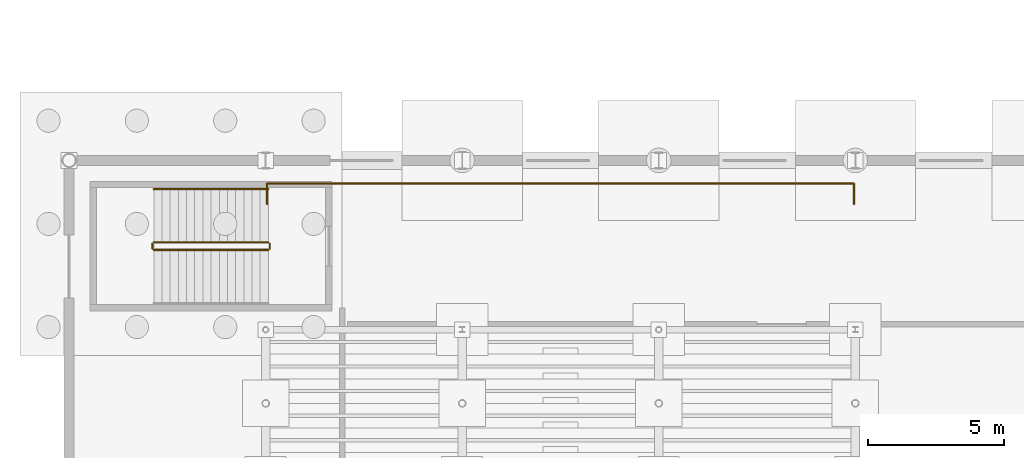
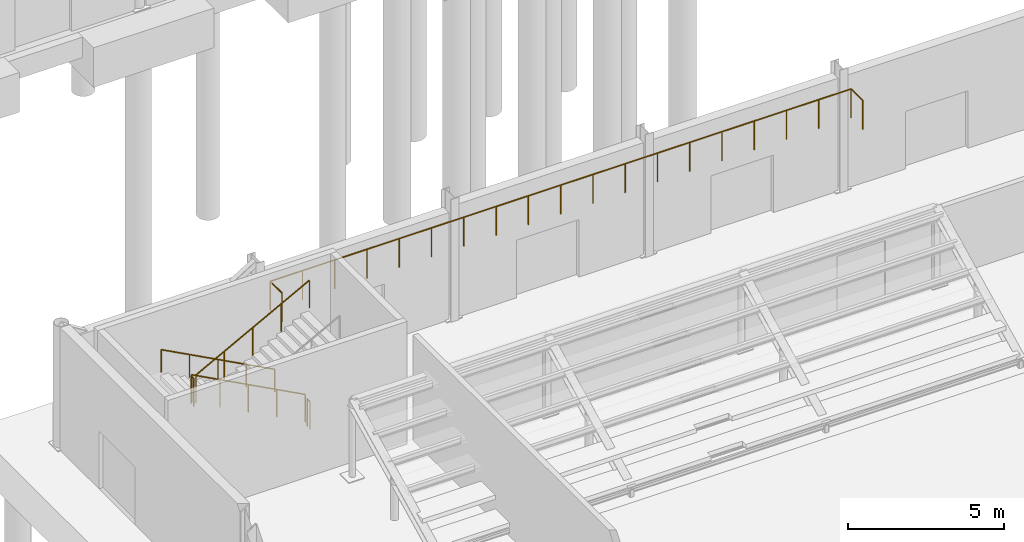
# One storey, part 87 of 101: 6 railings.
"""IFC4 building model written with IfcOpenShell, lengths in metres."""

from ifc_helpers import new_model, si_unit, derived_unit, direction, frame, origin, origin_2d, place, context, subcontext, project, spatial, circle, extrude, material, type_object, element, save


model = new_model("IFC4")

# Units and contexts
model_context = context("Model", 3, precision=1e-05, world=origin(), true_north=direction((0.0, 1.0)))
body_context = subcontext(model_context, "Body", "Model", "MODEL_VIEW")
ifc_project = project(units=[si_unit("LENGTHUNIT", "METRE"), si_unit("AREAUNIT", "SQUARE_METRE"), si_unit("VOLUMEUNIT", "CUBIC_METRE"), si_unit("PLANEANGLEUNIT", "RADIAN"), si_unit("MASSUNIT", "GRAM", prefix="KILO"), derived_unit("THERMALTRANSMITTANCEUNIT", [(si_unit("POWERUNIT", "WATT"), 1), (si_unit("LENGTHUNIT", "METRE"), -2), (si_unit("THERMODYNAMICTEMPERATUREUNIT", "KELVIN"), -1)])], contexts=[model_context])

# Site, building, storey
site_placement = place(None, origin())
site = spatial("IfcSite", under=ifc_project, at=site_placement, CompositionType="ELEMENT")
building_placement = place(site_placement, origin())
building = spatial("IfcBuilding", under=site, at=building_placement, Name="Keldorne Ridge Multi-Sports Centre", CompositionType="ELEMENT")
storey_placement = place(building_placement, origin())
storey = spatial("IfcBuildingStorey", under=building, at=storey_placement, Name="L00", CompositionType="ELEMENT", Elevation=0.0)

# Railings
ifc_material_1 = material(Name="Laminated glass and stainless steel", Category="steel")
railing_type_1 = type_object("IfcRailingType", Name="RLG-BL-01", PredefinedType="BALUSTRADE", material=ifc_material_1)
railing_1_placement = place(storey_placement, frame((13.300048828125, 51.0, 0.159912109375)))
element("IfcRailing", 1, at=railing_1_placement, inside=storey, type_object=railing_type_1, Name="L00 ST-09 stair guard 1", PredefinedType="BALUSTRADE", context=body_context, shape_type="SweptSolid", body=[
    extrude(circle(Radius=0.02392578125, at=origin_2d()), frame((0.0, 0.0, 1.076171875), z_axis=(-0.882351521365, 0.0, 0.470590897432), x_axis=(0.0, -1.0, 0.0)), (0.0, 0.0, 1.0), 4.760009765625),
    extrude(circle(Radius=0.02099609375, at=origin_2d()), origin(), (0.0, 0.0, 1.0), 1.052001953125),
    extrude(circle(Radius=0.02099609375, at=origin_2d()), frame((-1.050048828125, 0.0, 0.56005859375)), (0.0, 0.0, 1.0), 1.052001953125),
    extrude(circle(Radius=0.02099609375, at=origin_2d()), frame((-2.10009765625, 0.0, 1.1201171875)), (0.0, 0.0, 1.0), 1.052001953125),
    extrude(circle(Radius=0.02099609375, at=origin_2d()), frame((-3.14990234375, 0.0, 1.679931640625)), (0.0, 0.0, 1.0), 1.052001953125),
    extrude(circle(Radius=0.02099609375, at=origin_2d()), frame((-4.199951171875, 0.0, 2.239990234375)), (0.0, 0.0, 1.0), 1.052001953125),
])
railing_2_placement = place(storey_placement, frame((9.050048828125, 50.949951171875, 2.39990234375)))
element("IfcRailing", 2, at=railing_2_placement, inside=storey, type_object=railing_type_1, Name="L00 ST-09 stair guard 2", PredefinedType="BALUSTRADE", context=body_context, shape_type="SweptSolid", body=[
    extrude(circle(Radius=0.02392578125, at=origin_2d()), frame((0.0, 0.0, 1.076171875), z_axis=(0.0, -1.0, 0.0), x_axis=(1.0, 0.0, 0.0)), (0.0, 0.0, 1.0), 0.179931640625),
    extrude(circle(Radius=0.02099609375, at=origin_2d()), origin(), (0.0, 0.0, 1.0), 1.052001953125),
    extrude(circle(Radius=0.02099609375, at=origin_2d()), frame((0.0, -0.179931640625, 0.0)), (0.0, 0.0, 1.0), 1.052001953125),
])
railing_3_placement = place(storey_placement, frame((9.10009765625, 50.719970703125, 2.56005859375)))
element("IfcRailing", 3, at=railing_3_placement, inside=storey, type_object=railing_type_1, Name="L00 ST-09 stair guard 3", PredefinedType="BALUSTRADE", context=body_context, shape_type="SweptSolid", body=[
    extrude(circle(Radius=0.02392578125, at=origin_2d()), frame((0.0, 0.0, 1.076171875), z_axis=(0.882351521365, 0.0, 0.470590897432), x_axis=(0.0, 1.0, 0.0)), (0.0, 0.0, 1.0), 4.760009765625),
    extrude(circle(Radius=0.02099609375, at=origin_2d()), origin(), (0.0, 0.0, 1.0), 1.052001953125),
    extrude(circle(Radius=0.02099609375, at=origin_2d()), frame((1.050048828125, 0.0, 0.56005859375)), (0.0, 0.0, 1.0), 1.052001953125),
    extrude(circle(Radius=0.02099609375, at=origin_2d()), frame((2.10009765625, 0.0, 1.1201171875)), (0.0, 0.0, 1.0), 1.052001953125),
    extrude(circle(Radius=0.02099609375, at=origin_2d()), frame((3.14990234375, 0.0, 1.679931640625)), (0.0, 0.0, 1.0), 1.052001953125),
    extrude(circle(Radius=0.02099609375, at=origin_2d()), frame((4.199951171875, 0.0, 2.239990234375)), (0.0, 0.0, 1.0), 1.052001953125),
])
railing_4_placement = place(storey_placement, frame((13.35009765625, 50.949951171875, 0.0)))
element("IfcRailing", 4, at=railing_4_placement, inside=storey, type_object=railing_type_1, Name="L00 ST-09 stair guard 4", PredefinedType="BALUSTRADE", context=body_context, shape_type="SweptSolid", body=[
    extrude(circle(Radius=0.02392578125, at=origin_2d()), frame((0.0, 0.0, 1.076171875), z_axis=(0.0, -1.0, 0.0), x_axis=(1.0, 0.0, 0.0)), (0.0, 0.0, 1.0), 0.179931640625),
    extrude(circle(Radius=0.02099609375, at=origin_2d()), origin(), (0.0, 0.0, 1.0), 1.052001953125),
    extrude(circle(Radius=0.02099609375, at=origin_2d()), frame((0.0, -0.179931640625, 0.0)), (0.0, 0.0, 1.0), 1.052001953125),
])
ifc_material_2 = material(Name="Painted steel", Category="steel")
railing_type_2 = type_object("IfcRailingType", Name="RLG-BL-02", PredefinedType="BALUSTRADE", material=ifc_material_2)
railing_5_placement = place(storey_placement, frame((13.25, 52.39990234375, 3.25)))
element("IfcRailing", 5, at=railing_5_placement, inside=storey, type_object=railing_type_2, Name="Safety balustrade RLG-STD-NW", PredefinedType="BALUSTRADE", context=body_context, shape_type="SweptSolid", body=[
    extrude(circle(Radius=0.02392578125, at=origin_2d()), frame((0.0, 0.0, 1.1259765625), z_axis=(0.0, 1.0, 0.0), x_axis=(-1.0, 0.0, 0.0)), (0.0, 0.0, 1.0), 0.75),
    extrude(circle(Radius=0.02392578125, at=origin_2d()), frame((0.0, 0.75, 1.1259765625), z_axis=(1.0, 0.0, 0.0), x_axis=(0.0, 1.0, 0.0)), (0.0, 0.0, 1.0), 21.5),
    extrude(circle(Radius=0.02392578125, at=origin_2d()), frame((21.5, 0.75, 1.1259765625), z_axis=(0.0, -1.0, 0.0), x_axis=(1.0, 0.0, 0.0)), (0.0, 0.0, 1.0), 0.75),
    extrude(circle(Radius=0.02099609375, at=origin_2d()), origin(), (0.0, 0.0, 1.0), 1.101806640625),
    extrude(circle(Radius=0.02099609375, at=origin_2d()), frame((0.0, 0.75, 0.0)), (0.0, 0.0, 1.0), 1.101806640625),
    extrude(circle(Radius=0.02099609375, at=origin_2d()), frame((1.1943359375, 0.75, 0.0)), (0.0, 0.0, 1.0), 1.101806640625),
    extrude(circle(Radius=0.02099609375, at=origin_2d()), frame((2.388916015625, 0.75, 0.0)), (0.0, 0.0, 1.0), 1.101806640625),
    extrude(circle(Radius=0.02099609375, at=origin_2d()), frame((3.583251953125, 0.75, 0.0)), (0.0, 0.0, 1.0), 1.101806640625),
    extrude(circle(Radius=0.02099609375, at=origin_2d()), frame((4.77783203125, 0.75, 0.0)), (0.0, 0.0, 1.0), 1.101806640625),
    extrude(circle(Radius=0.02099609375, at=origin_2d()), frame((5.97216796875, 0.75, 0.0)), (0.0, 0.0, 1.0), 1.101806640625),
    extrude(circle(Radius=0.02099609375, at=origin_2d()), frame((7.166748046875, 0.75, 0.0)), (0.0, 0.0, 1.0), 1.101806640625),
    extrude(circle(Radius=0.02099609375, at=origin_2d()), frame((8.361083984375, 0.75, 0.0)), (0.0, 0.0, 1.0), 1.101806640625),
    extrude(circle(Radius=0.02099609375, at=origin_2d()), frame((9.5556640625, 0.75, 0.0)), (0.0, 0.0, 1.0), 1.101806640625),
    extrude(circle(Radius=0.02099609375, at=origin_2d()), frame((10.75, 0.75, 0.0)), (0.0, 0.0, 1.0), 1.101806640625),
    extrude(circle(Radius=0.02099609375, at=origin_2d()), frame((11.9443359375, 0.75, 0.0)), (0.0, 0.0, 1.0), 1.101806640625),
    extrude(circle(Radius=0.02099609375, at=origin_2d()), frame((13.138916015625, 0.75, 0.0)), (0.0, 0.0, 1.0), 1.101806640625),
    extrude(circle(Radius=0.02099609375, at=origin_2d()), frame((14.333251953125, 0.75, 0.0)), (0.0, 0.0, 1.0), 1.101806640625),
    extrude(circle(Radius=0.02099609375, at=origin_2d()), frame((15.52783203125, 0.75, 0.0)), (0.0, 0.0, 1.0), 1.101806640625),
    extrude(circle(Radius=0.02099609375, at=origin_2d()), frame((16.72216796875, 0.75, 0.0)), (0.0, 0.0, 1.0), 1.101806640625),
    extrude(circle(Radius=0.02099609375, at=origin_2d()), frame((17.916748046875, 0.75, 0.0)), (0.0, 0.0, 1.0), 1.101806640625),
    extrude(circle(Radius=0.02099609375, at=origin_2d()), frame((19.111083984375, 0.75, 0.0)), (0.0, 0.0, 1.0), 1.101806640625),
    extrude(circle(Radius=0.02099609375, at=origin_2d()), frame((20.3056640625, 0.75, 0.0)), (0.0, 0.0, 1.0), 1.101806640625),
    extrude(circle(Radius=0.02099609375, at=origin_2d()), frame((21.5, 0.75, 0.0)), (0.0, 0.0, 1.0), 1.101806640625),
    extrude(circle(Radius=0.02099609375, at=origin_2d()), frame((21.5, 0.0, 0.0)), (0.0, 0.0, 1.0), 1.101806640625),
])
ifc_material_3 = material(Name="Stainless steel", Category="steel")
railing_type_3 = type_object("IfcRailingType", Name="RLG-HR-01", PredefinedType="HANDRAIL", material=ifc_material_3)
railing_6_placement = place(storey_placement, frame((13.300048828125, 52.949951171875, 0.159912109375)))
element("IfcRailing", 6, at=railing_6_placement, inside=storey, type_object=railing_type_3, Name="L00 ST-09 stair handrail 1", PredefinedType="HANDRAIL", context=body_context, shape_type="SweptSolid", body=[
    extrude(circle(Radius=0.02392578125, at=origin_2d()), frame((0.0, 0.0, 0.8759765625), z_axis=(-0.882351521365, 0.0, 0.470590897432), x_axis=(0.0, -1.0, 0.0)), (0.0, 0.0, 1.0), 4.760009765625),
    extrude(circle(Radius=0.02099609375, at=origin_2d()), origin(), (0.0, 0.0, 1.0), 0.851806640625),
    extrude(circle(Radius=0.02099609375, at=origin_2d()), frame((-1.050048828125, 0.0, 0.56005859375)), (0.0, 0.0, 1.0), 0.851806640625),
    extrude(circle(Radius=0.02099609375, at=origin_2d()), frame((-2.10009765625, 0.0, 1.1201171875)), (0.0, 0.0, 1.0), 0.851806640625),
    extrude(circle(Radius=0.02099609375, at=origin_2d()), frame((-3.14990234375, 0.0, 1.679931640625)), (0.0, 0.0, 1.0), 0.851806640625),
    extrude(circle(Radius=0.02099609375, at=origin_2d()), frame((-4.199951171875, 0.0, 2.239990234375)), (0.0, 0.0, 1.0), 0.851806640625),
])

save(model, "model.ifc")
